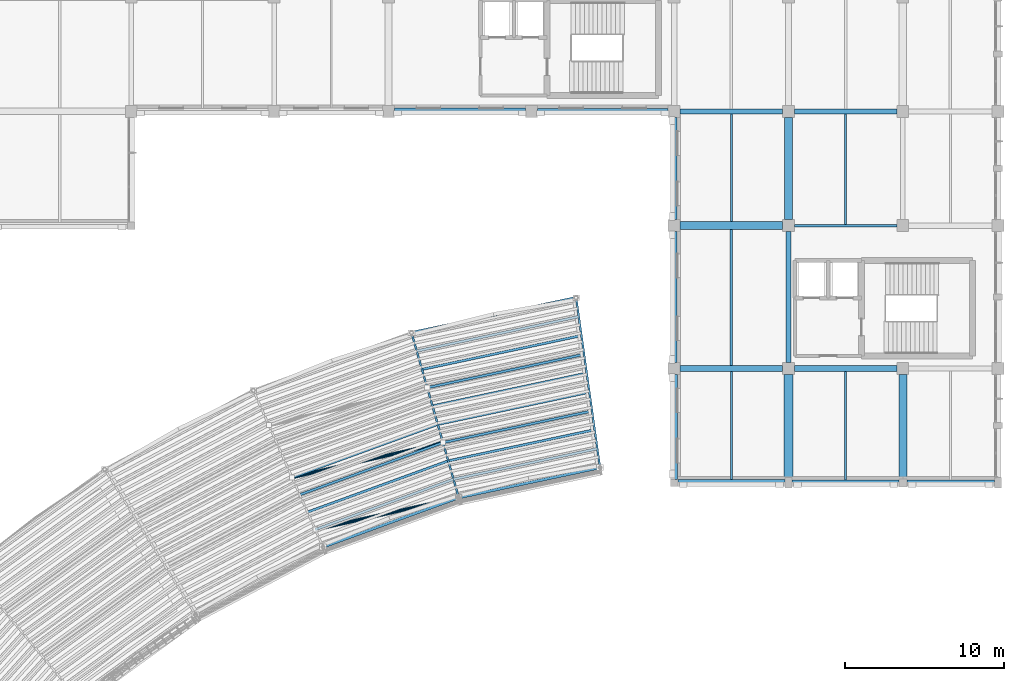
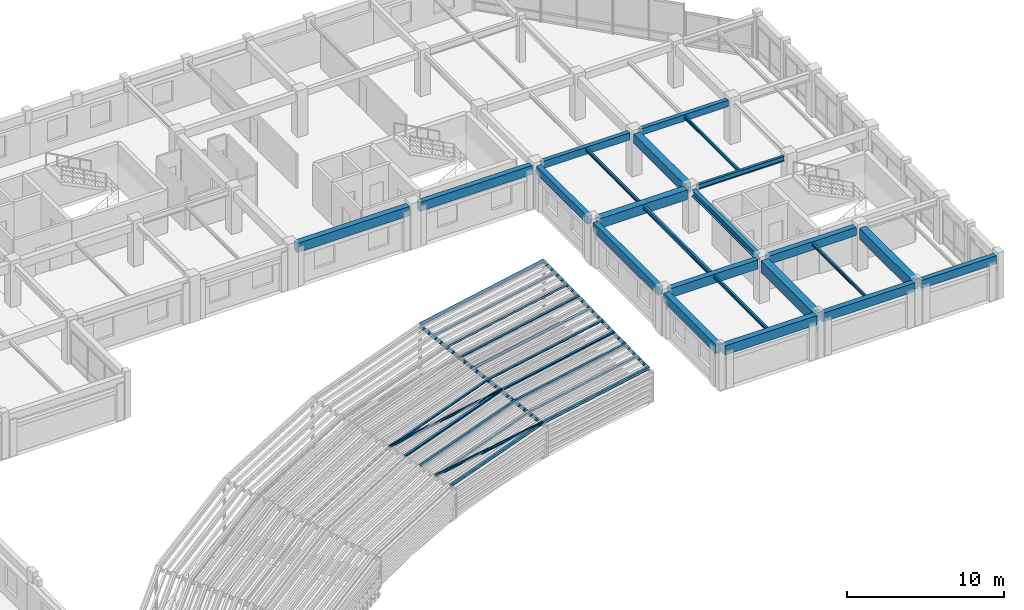
# One storey, part 34 of 74: 23 beams, 19 members.
"""IFC4 building model written with IfcOpenShell, lengths in metres."""

from ifc_helpers import new_model, si_unit, direction, frame, origin, origin_2d, place, context, subcontext, project, spatial, rectangle, hollow_circle, i_section, extrude, material, material_profile, profile_set, type_object, element, save


model = new_model("IFC4")

# Units and contexts
model_context = context("Model", 3, precision=1e-05, world=origin(), true_north=direction((0.0, 1.0)))
body_context = subcontext(model_context, "Body", "Model", "MODEL_VIEW")
ifc_project = project(units=[si_unit("LENGTHUNIT", "METRE"), si_unit("AREAUNIT", "SQUARE_METRE"), si_unit("VOLUMEUNIT", "CUBIC_METRE"), si_unit("PLANEANGLEUNIT", "RADIAN"), si_unit("MASSUNIT", "GRAM", prefix="KILO")], contexts=[model_context])

# Site, building, storey
site_placement = place(None, origin())
site = spatial("IfcSite", under=ifc_project, at=site_placement, CompositionType="ELEMENT")
building_placement = place(site_placement, origin())
building = spatial("IfcBuilding", under=site, at=building_placement, Name="Clarverna Civic Hall", CompositionType="ELEMENT")
storey_placement = place(building_placement, frame((0.0, 0.0, 13.199951171875)))
storey = spatial("IfcBuildingStorey", under=building, at=storey_placement, Name="L03", CompositionType="ELEMENT", Elevation=13.199951171875)

# Beams
ifc_material_1 = material(Name="Concrete C35/45", Category="concrete")
ifc_material_profile_1 = material_profile(ifc_material_1, rectangle(XDim=0.5, YDim=0.85009765625, at=origin_2d()), Name="RC 500x850")
ifc_profile_set_1 = profile_set([ifc_material_profile_1], Name="Concrete C35/45")
beam_type_1 = type_object("IfcBeamType", Name="B-RC1", PredefinedType="BEAM", material=ifc_profile_set_1)
beam_1_placement = place(storey_placement, frame((162.0, 71.85009765625, 2.89501953125), z_axis=(0.0, 1.0, 0.0), x_axis=(-1.0, 0.0, 0.0)))
element("IfcBeam", 1, at=beam_1_placement, inside=storey, type_object=beam_type_1, Name="B-RC1-025", PredefinedType="BEAM", context=body_context, shape_type="SweptSolid", body=[
    extrude(rectangle(XDim=0.5, YDim=0.85009765625, at=origin_2d()), origin(), (0.0, 0.0, 1.0), 6.574951171875),
])
ifc_material_profile_2 = material_profile(ifc_material_1, rectangle(XDim=0.300048828125, YDim=0.550048828125, at=origin_2d()), Name="RC 300x550")
ifc_profile_set_2 = profile_set([ifc_material_profile_2], Name="Concrete C35/45")
beam_type_2 = type_object("IfcBeamType", Name="B-RC11", PredefinedType="BEAM", material=ifc_profile_set_2)
beam_2_placement = place(storey_placement, frame((147.97509765625, 95.0, 3.045166015625), z_axis=(1.0, 0.0, 0.0), x_axis=(0.0, 1.0, 0.0)))
element("IfcBeam", 2, at=beam_2_placement, inside=storey, type_object=beam_type_2, Name="B-RC11-031", PredefinedType="BEAM", context=body_context, shape_type="SweptSolid", body=[
    extrude(rectangle(XDim=0.300048828125, YDim=0.550048828125, at=origin_2d()), origin(), (0.0, 0.0, 1.0), 6.449951171875),
])
ifc_material_profile_3 = material_profile(ifc_material_1, rectangle(XDim=0.300048828125, YDim=0.5, at=origin_2d()), Name="RC 300x500")
ifc_profile_set_3 = profile_set([ifc_material_profile_3], Name="Concrete C35/45")
beam_type_3 = type_object("IfcBeamType", Name="B-RC12", PredefinedType="BEAM", material=ifc_profile_set_3)
beam_3_placement = place(storey_placement, frame((155.175048828125, 95.0, 3.070068359375), z_axis=(1.0, 0.0, 0.0), x_axis=(0.0, 1.0, 0.0)))
element("IfcBeam", 3, at=beam_3_placement, inside=storey, type_object=beam_type_3, Name="B-RC12-045", PredefinedType="BEAM", context=body_context, shape_type="SweptSolid", body=[
    extrude(rectangle(XDim=0.300048828125, YDim=0.5, at=origin_2d()), origin(), (0.0, 0.0, 1.0), 6.449951171875),
])
ifc_material_profile_4 = material_profile(ifc_material_1, rectangle(XDim=0.550048828125, YDim=0.89990234375, at=origin_2d()), Name="RC 550x900")
ifc_profile_set_4 = profile_set([ifc_material_profile_4], Name="Concrete C35/45")
beam_type_4 = type_object("IfcBeamType", Name="B-RC13", PredefinedType="BEAM", material=ifc_profile_set_4)
beam_4_placement = place(storey_placement, frame((154.800048828125, 71.925048828125, 2.8701171875), z_axis=(0.0, 1.0, 0.0), x_axis=(-1.0, 0.0, 0.0)))
element("IfcBeam", 4, at=beam_4_placement, inside=storey, type_object=beam_type_4, Name="B-RC13-032", PredefinedType="BEAM", context=body_context, shape_type="SweptSolid", body=[
    extrude(rectangle(XDim=0.550048828125, YDim=0.89990234375, at=origin_2d()), origin(), (0.0, 0.0, 1.0), 6.5),
])
ifc_material_profile_5 = material_profile(ifc_material_1, rectangle(XDim=0.5, YDim=0.75, at=origin_2d()), Name="RC 500x750")
ifc_profile_set_5 = profile_set([ifc_material_profile_5], Name="Concrete C35/45")
beam_type_5 = type_object("IfcBeamType", Name="B-RC15", PredefinedType="BEAM", material=ifc_profile_set_5)
for number, where, z_axis, x_axis, name in (
    (5, (147.97509765625, 87.800048828125, 2.945068359375), (1.0, 0.0, 0.0), (0.0, 1.0, 0.0), "B-RC15-043"),
    (6, (154.800048828125, 88.175048828125, 2.945068359375), (0.0, 1.0, 0.0), (-1.0, 0.0, 0.0), "B-RC15-045"),
):
    element("IfcBeam", number, at=place(storey_placement, frame(where, z_axis=z_axis, x_axis=x_axis)), inside=storey, type_object=beam_type_5, Name=name, PredefinedType="BEAM", context=body_context, shape_type="SweptSolid", body=[
        extrude(rectangle(XDim=0.5, YDim=0.75, at=origin_2d()), origin(), (0.0, 0.0, 1.0), 6.449951171875),
    ])
ifc_material_profile_6 = material_profile(ifc_material_1, rectangle(XDim=0.39990234375, YDim=0.699951171875, at=origin_2d()), Name="RC 400x700")
ifc_profile_set_6 = profile_set([ifc_material_profile_6], Name="Concrete C35/45")
beam_type_6 = type_object("IfcBeamType", Name="B-RC5", PredefinedType="BEAM", material=ifc_profile_set_6)
beam_5_placement = place(storey_placement, frame((147.97509765625, 78.800048828125, 2.969970703125), z_axis=(1.0, 0.0, 0.0), x_axis=(0.0, 1.0, 0.0)))
element("IfcBeam", 7, at=beam_5_placement, inside=storey, type_object=beam_type_6, Name="B-RC5-032", PredefinedType="BEAM", context=body_context, shape_type="SweptSolid", body=[
    extrude(rectangle(XDim=0.39990234375, YDim=0.699951171875, at=origin_2d()), origin(), (0.0, 0.0, 1.0), 6.449951171875),
])
ifc_material_profile_7 = material_profile(ifc_material_1, rectangle(XDim=0.39990234375, YDim=0.64990234375, at=origin_2d()), Name="RC 400x650")
ifc_profile_set_7 = profile_set([ifc_material_profile_7], Name="Concrete C35/45")
beam_type_7 = type_object("IfcBeamType", Name="B-RC6", PredefinedType="BEAM", material=ifc_profile_set_7)
beam_6_placement = place(storey_placement, frame((155.175048828125, 78.800048828125, 2.9951171875), z_axis=(1.0, 0.0, 0.0), x_axis=(0.0, 1.0, 0.0)))
element("IfcBeam", 8, at=beam_6_placement, inside=storey, type_object=beam_type_7, Name="B-RC6-044", PredefinedType="BEAM", context=body_context, shape_type="SweptSolid", body=[
    extrude(rectangle(XDim=0.39990234375, YDim=0.64990234375, at=origin_2d()), origin(), (0.0, 0.0, 1.0), 6.449951171875),
])
ifc_material_profile_8 = material_profile(ifc_material_1, rectangle(XDim=0.419921875, YDim=0.719970703125, at=origin_2d()), Name="RC 420x720")
ifc_profile_set_8 = profile_set([ifc_material_profile_8], Name="Concrete C35/45")
beam_type_8 = type_object("IfcBeamType", Name="B-SP1", PredefinedType="SPANDREL", material=ifc_profile_set_8)
beam_7_placement = place(storey_placement, frame((147.824951171875, 71.60009765625, 2.9599609375), z_axis=(1.0, 0.0, 0.0), x_axis=(0.0, 1.0, 0.0)))
element("IfcBeam", 9, at=beam_7_placement, inside=storey, type_object=beam_type_8, Name="B-SP1-110", PredefinedType="SPANDREL", context=body_context, shape_type="SweptSolid", body=[
    extrude(rectangle(XDim=0.419921875, YDim=0.719970703125, at=origin_2d()), origin(), (0.0, 0.0, 1.0), 6.75),
])
beam_8_placement = place(storey_placement, frame((129.97509765625, 95.0, 2.9599609375), z_axis=(1.0, 0.0, 0.0), x_axis=(0.0, 1.0, 0.0)))
element("IfcBeam", 10, at=beam_8_placement, inside=storey, type_object=beam_type_8, Name="B-SP1-111", PredefinedType="SPANDREL", context=body_context, shape_type="SweptSolid", body=[
    extrude(rectangle(XDim=0.419921875, YDim=0.719970703125, at=origin_2d()), origin(), (0.0, 0.0, 1.0), 8.25),
])
beam_9_placement = place(storey_placement, frame((147.60009765625, 71.824951171875, 2.9599609375), z_axis=(0.0, 1.0, 0.0), x_axis=(-1.0, 0.0, 0.0)))
element("IfcBeam", 11, at=beam_9_placement, inside=storey, type_object=beam_type_8, Name="B-SP1-125", PredefinedType="SPANDREL", context=body_context, shape_type="SweptSolid", body=[
    extrude(rectangle(XDim=0.419921875, YDim=0.719970703125, at=origin_2d()), origin(), (0.0, 0.0, 1.0), 6.60009765625),
])
ifc_material_profile_9 = material_profile(ifc_material_1, rectangle(XDim=0.3798828125, YDim=0.679931640625, at=origin_2d()), Name="RC 380x680")
ifc_profile_set_9 = profile_set([ifc_material_profile_9], Name="Concrete C35/45")
beam_type_9 = type_object("IfcBeamType", Name="B-SP2", PredefinedType="SPANDREL", material=ifc_profile_set_9)
beam_10_placement = place(storey_placement, frame((155.02490234375, 71.60009765625, 2.97998046875), z_axis=(1.0, 0.0, 0.0), x_axis=(0.0, 1.0, 0.0)))
element("IfcBeam", 12, at=beam_10_placement, inside=storey, type_object=beam_type_9, Name="B-SP2-114", PredefinedType="SPANDREL", context=body_context, shape_type="SweptSolid", body=[
    extrude(rectangle(XDim=0.3798828125, YDim=0.679931640625, at=origin_2d()), origin(), (0.0, 0.0, 1.0), 6.72509765625),
])
for number, where, z_axis, x_axis, name in (
    (13, (138.97509765625, 95.0, 2.97998046875), (1.0, 0.0, 0.0), (0.0, 1.0, 0.0), "B-SP2-116"),
    (14, (147.60009765625, 79.175048828125, 2.97998046875), (0.0, 1.0, 0.0), (-1.0, 0.0, 0.0), "B-SP2-131"),
):
    element("IfcBeam", number, at=place(storey_placement, frame(where, z_axis=z_axis, x_axis=x_axis)), inside=storey, type_object=beam_type_9, Name=name, PredefinedType="SPANDREL", context=body_context, shape_type="SweptSolid", body=[
        extrude(rectangle(XDim=0.3798828125, YDim=0.679931640625, at=origin_2d()), origin(), (0.0, 0.0, 1.0), 8.25),
    ])
ifc_material_profile_10 = material_profile(ifc_material_1, rectangle(XDim=0.360107421875, YDim=0.6201171875, at=origin_2d()), Name="RC 360x620")
ifc_profile_set_10 = profile_set([ifc_material_profile_10], Name="Concrete C35/45")
beam_type_10 = type_object("IfcBeamType", Name="B-SP3", PredefinedType="SPANDREL", material=ifc_profile_set_10)
beam_11_placement = place(storey_placement, frame((162.25, 71.60009765625, 3.010009765625), z_axis=(1.0, 0.0, 0.0), x_axis=(0.0, 1.0, 0.0)))
element("IfcBeam", 15, at=beam_11_placement, inside=storey, type_object=beam_type_10, Name="B-SP3-111", PredefinedType="SPANDREL", context=body_context, shape_type="SweptSolid", body=[
    extrude(rectangle(XDim=0.360107421875, YDim=0.6201171875, at=origin_2d()), origin(), (0.0, 0.0, 1.0), 5.52490234375),
])
beam_12_placement = place(storey_placement, frame((147.60009765625, 88.175048828125, 3.010009765625), z_axis=(0.0, 1.0, 0.0), x_axis=(-1.0, 0.0, 0.0)))
element("IfcBeam", 16, at=beam_12_placement, inside=storey, type_object=beam_type_10, Name="B-SP3-129", PredefinedType="SPANDREL", context=body_context, shape_type="SweptSolid", body=[
    extrude(rectangle(XDim=0.360107421875, YDim=0.6201171875, at=origin_2d()), origin(), (0.0, 0.0, 1.0), 6.449951171875),
])
ifc_material_2 = material(Name="Steel S355", Category="steel")
ifc_material_profile_11 = material_profile(ifc_material_2, i_section(OverallWidth=0.179931640625, OverallDepth=0.39990234375, WebThickness=0.008544921875, FlangeThickness=0.013427734375, FilletRadius=0.02099609375, at=origin_2d()), Name="IPE 400")
ifc_profile_set_11 = profile_set([ifc_material_profile_11], Name="Steel S355")
beam_type_11 = type_object("IfcBeamType", Name="B-ST14", PredefinedType="BEAM", material=ifc_profile_set_11)
beam_13_placement = place(storey_placement, frame((155.175048828125, 87.800048828125, 3.1201171875), z_axis=(1.0, 0.0, 0.0), x_axis=(0.0, 1.0, 0.0)))
element("IfcBeam", 17, at=beam_13_placement, inside=storey, type_object=beam_type_11, Name="B-ST14-016", PredefinedType="BEAM", context=body_context, shape_type="SweptSolid", body=[
    extrude(i_section(OverallWidth=0.179931640625, OverallDepth=0.39990234375, WebThickness=0.008544921875, FlangeThickness=0.013427734375, FilletRadius=0.02099609375, at=origin_2d()), origin(), (0.0, 0.0, 1.0), 6.449951171875),
])
ifc_material_profile_12 = material_profile(ifc_material_2, i_section(OverallWidth=0.300048828125, OverallDepth=0.5, WebThickness=0.014404296875, FlangeThickness=0.028076171875, FilletRadius=0.027099609375, at=origin_2d()), Name="HEB 500")
ifc_profile_set_12 = profile_set([ifc_material_profile_12], Name="Steel S355")
beam_type_12 = type_object("IfcBeamType", Name="B-ST2", PredefinedType="BEAM", material=ifc_profile_set_12)
beam_14_placement = place(storey_placement, frame((154.800048828125, 79.175048828125, 3.070068359375), z_axis=(0.0, 1.0, 0.0), x_axis=(-1.0, 0.0, 0.0)))
element("IfcBeam", 18, at=beam_14_placement, inside=storey, type_object=beam_type_12, Name="B-ST2-017", PredefinedType="BEAM", context=body_context, shape_type="SweptSolid", body=[
    extrude(i_section(OverallWidth=0.300048828125, OverallDepth=0.5, WebThickness=0.014404296875, FlangeThickness=0.028076171875, FilletRadius=0.027099609375, at=origin_2d()), origin(), (0.0, 0.0, 1.0), 8.25),
])

# Members
ifc_material_profile_13 = material_profile(ifc_material_2, hollow_circle(Radius=0.109619140625, WallThickness=0.010009765625, at=origin_2d()), Name="CHS 219.1x10.0")
ifc_profile_set_13 = profile_set([ifc_material_profile_13], Name="Steel S355")
member_type_1 = type_object("IfcMemberType", Name="BRS-1", PredefinedType="BRACE", material=ifc_profile_set_13)
member_1_placement = place(storey_placement, frame((134.0283203125, 70.67431640625, 2.650146484375), z_axis=(-0.975639696104, -0.217561589083, 0.028180460285), x_axis=(0.217648027569, -0.976027323437, 0.0)))
element("IfcMember", 19, at=member_1_placement, inside=storey, type_object=member_type_1, Name="BRS-1-001", PredefinedType="BRACE", context=body_context, shape_type="SweptSolid", body=[
    extrude(hollow_circle(Radius=0.109619140625, WallThickness=0.010009765625, at=origin_2d()), origin(), (0.0, 0.0, 1.0), 9.26123046875),
])
member_2_placement = place(storey_placement, frame((133.0361328125, 74.134765625, 3.433349609375), z_axis=(-0.974212779846, -0.224040921742, 0.026741820605), x_axis=(0.224121073362, -0.974561308731, 0.0)))
element("IfcMember", 20, at=member_2_placement, inside=storey, type_object=member_type_1, Name="BRS-1-002", PredefinedType="BRACE", context=body_context, shape_type="SweptSolid", body=[
    extrude(hollow_circle(Radius=0.109619140625, WallThickness=0.010009765625, at=origin_2d()), origin(), (0.0, 0.0, 1.0), 9.759521484375),
])

# Beams
ifc_material_profile_14 = material_profile(ifc_material_2, i_section(OverallWidth=0.159912109375, OverallDepth=0.330078125, WebThickness=0.007568359375, FlangeThickness=0.011474609375, FilletRadius=0.01806640625, at=origin_2d()), Name="IPE 330")
ifc_profile_set_14 = profile_set([ifc_material_profile_14], Name="Steel S355")
beam_type_13 = type_object("IfcBeamType", Name="J-ST2", PredefinedType="JOIST", material=ifc_profile_set_14)
beam_15_placement = place(storey_placement, frame((151.199951171875, 79.0, 3.155029296875), z_axis=(0.0, 1.0, 0.0), x_axis=(-1.0, 0.0, 0.0)))
element("IfcBeam", 21, at=beam_15_placement, inside=storey, type_object=beam_type_13, Name="J-ST2-062", PredefinedType="JOIST", context=body_context, shape_type="SweptSolid", body=[
    extrude(i_section(OverallWidth=0.159912109375, OverallDepth=0.330078125, WebThickness=0.007568359375, FlangeThickness=0.011474609375, FilletRadius=0.01806640625, at=origin_2d()), origin(), (0.0, 0.0, 1.0), 8.550048828125),
])
ifc_material_profile_15 = material_profile(ifc_material_2, i_section(OverallWidth=0.135009765625, OverallDepth=0.27001953125, WebThickness=0.006591796875, FlangeThickness=0.01025390625, FilletRadius=0.014892578125, at=origin_2d()), Name="IPE 270")
ifc_profile_set_15 = profile_set([ifc_material_profile_15], Name="Steel S355")
beam_type_14 = type_object("IfcBeamType", Name="J-ST4", PredefinedType="JOIST", material=ifc_profile_set_15)
beam_16_placement = place(storey_placement, frame((151.199951171875, 71.81005859375, 3.18505859375), z_axis=(0.0, 1.0, 0.0), x_axis=(-1.0, 0.0, 0.0)))
element("IfcBeam", 22, at=beam_16_placement, inside=storey, type_object=beam_type_14, Name="J-ST4-063", PredefinedType="JOIST", context=body_context, shape_type="SweptSolid", body=[
    extrude(i_section(OverallWidth=0.135009765625, OverallDepth=0.27001953125, WebThickness=0.006591796875, FlangeThickness=0.01025390625, FilletRadius=0.014892578125, at=origin_2d()), origin(), (0.0, 0.0, 1.0), 6.7900390625),
])
beam_17_placement = place(storey_placement, frame((151.199951171875, 88.050048828125, 3.18505859375), z_axis=(0.0, 1.0, 0.0), x_axis=(-1.0, 0.0, 0.0)))
element("IfcBeam", 23, at=beam_17_placement, inside=storey, type_object=beam_type_14, Name="J-ST4-065", PredefinedType="JOIST", context=body_context, shape_type="SweptSolid", body=[
    extrude(i_section(OverallWidth=0.135009765625, OverallDepth=0.27001953125, WebThickness=0.006591796875, FlangeThickness=0.01025390625, FilletRadius=0.014892578125, at=origin_2d()), origin(), (0.0, 0.0, 1.0), 6.800048828125),
])
ifc_material_profile_16 = material_profile(ifc_material_2, i_section(OverallWidth=0.1201171875, OverallDepth=0.239990234375, WebThickness=0.006103515625, FlangeThickness=0.009765625, FilletRadius=0.014892578125, at=origin_2d()), Name="IPE 240")
ifc_profile_set_16 = profile_set([ifc_material_profile_16], Name="Steel S355")
beam_type_15 = type_object("IfcBeamType", Name="J-ST5", PredefinedType="JOIST", material=ifc_profile_set_16)
beam_18_placement = place(storey_placement, frame((158.39990234375, 71.7900390625, 3.199951171875), z_axis=(0.0, 1.0, 0.0), x_axis=(-1.0, 0.0, 0.0)))
element("IfcBeam", 24, at=beam_18_placement, inside=storey, type_object=beam_type_15, Name="J-ST5-060", PredefinedType="JOIST", context=body_context, shape_type="SweptSolid", body=[
    extrude(i_section(OverallWidth=0.1201171875, OverallDepth=0.239990234375, WebThickness=0.006103515625, FlangeThickness=0.009765625, FilletRadius=0.014892578125, at=origin_2d()), origin(), (0.0, 0.0, 1.0), 6.81005859375),
])
beam_19_placement = place(storey_placement, frame((158.39990234375, 87.889892578125, 3.199951171875), z_axis=(0.0, 1.0, 0.0), x_axis=(-1.0, 0.0, 0.0)))
element("IfcBeam", 25, at=beam_19_placement, inside=storey, type_object=beam_type_15, Name="J-ST5-062", PredefinedType="JOIST", context=body_context, shape_type="SweptSolid", body=[
    extrude(i_section(OverallWidth=0.1201171875, OverallDepth=0.239990234375, WebThickness=0.006103515625, FlangeThickness=0.009765625, FilletRadius=0.014892578125, at=origin_2d()), origin(), (0.0, 0.0, 1.0), 6.960205078125),
])

# Members
ifc_material_profile_17 = material_profile(ifc_material_2, i_section(OverallWidth=0.179931640625, OverallDepth=0.1708984375, WebThickness=0.006103515625, FlangeThickness=0.009521484375, FilletRadius=0.014892578125, at=origin_2d()), Name="HEA 180")
ifc_profile_set_17 = profile_set([ifc_material_profile_17], Name="Steel S355")
member_type_2 = type_object("IfcMemberType", Name="PU-SC2", PredefinedType="PURLIN", material=ifc_profile_set_17)
for number, where, z_axis, x_axis, name in (
    (26, (142.92578125, 72.5654296875, 2.650146484375), (-0.978149845886, -0.207901127929, 0.0), (0.207901127929, -0.978149845886, 0.0), "PU-SC2-001"),
    (27, (134.0283203125, 70.67431640625, 2.650146484375), (-0.939692291885, -0.342021046971, 0.0), (0.342021046971, -0.939692291885, 0.0), "PU-SC2-002"),
):
    element("IfcMember", number, at=place(storey_placement, frame(where, z_axis=z_axis, x_axis=x_axis)), inside=storey, type_object=member_type_2, Name=name, PredefinedType="PURLIN", context=body_context, shape_type="SweptSolid", body=[
        extrude(i_section(OverallWidth=0.179931640625, OverallDepth=0.1708984375, WebThickness=0.006103515625, FlangeThickness=0.009521484375, FilletRadius=0.014892578125, at=origin_2d()), origin(), (0.0, 0.0, 1.0), 9.09619140625),
    ])
member_3_placement = place(storey_placement, frame((141.4228515625, 83.260498046875, 5.0), z_axis=(-0.978145799262, -0.207920165894, 0.0), x_axis=(0.207920165894, -0.978145799262, 0.0)))
element("IfcMember", 28, at=member_3_placement, inside=storey, type_object=member_type_2, Name="PU-SC2-006", PredefinedType="PURLIN", context=body_context, shape_type="SweptSolid", body=[
    extrude(i_section(OverallWidth=0.179931640625, OverallDepth=0.1708984375, WebThickness=0.006103515625, FlangeThickness=0.009521484375, FilletRadius=0.014892578125, at=origin_2d()), origin(), (0.0, 0.0, 1.0), 10.60302734375),
])
ifc_material_profile_18 = material_profile(ifc_material_2, i_section(OverallWidth=0.159912109375, OverallDepth=0.152099609375, WebThickness=0.006103515625, FlangeThickness=0.009033203125, FilletRadius=0.014892578125, at=origin_2d()), Name="HEA 160")
ifc_profile_set_18 = profile_set([ifc_material_profile_18], Name="Steel S355")
member_type_3 = type_object("IfcMemberType", Name="PU-SC3", PredefinedType="PURLIN", material=ifc_profile_set_18)
member_4_placement = place(storey_placement, frame((142.7587890625, 73.75390625, 2.9111328125), z_axis=(-0.978146658629, -0.207916123024, 0.0), x_axis=(0.207916123024, -0.978146658629, 0.0)))
element("IfcMember", 29, at=member_4_placement, inside=storey, type_object=member_type_3, Name="PU-SC3-001", PredefinedType="PURLIN", context=body_context, shape_type="SweptSolid", body=[
    extrude(i_section(OverallWidth=0.159912109375, OverallDepth=0.152099609375, WebThickness=0.006103515625, FlangeThickness=0.009033203125, FilletRadius=0.014892578125, at=origin_2d()), origin(), (0.0, 0.0, 1.0), 9.263427734375),
])
member_5_placement = place(storey_placement, frame((133.69775390625, 71.827880859375, 2.9111328125), z_axis=(-0.93969027177, -0.342026597124, 0.0), x_axis=(0.342026597124, -0.93969027177, 0.0)))
element("IfcMember", 30, at=member_5_placement, inside=storey, type_object=member_type_3, Name="PU-SC3-002", PredefinedType="PURLIN", context=body_context, shape_type="SweptSolid", body=[
    extrude(i_section(OverallWidth=0.159912109375, OverallDepth=0.152099609375, WebThickness=0.006103515625, FlangeThickness=0.009033203125, FilletRadius=0.014892578125, at=origin_2d()), origin(), (0.0, 0.0, 1.0), 9.263671875),
])
member_6_placement = place(storey_placement, frame((142.591796875, 74.942138671875, 3.17236328125), z_axis=(-0.978144703428, -0.207925321104, 0.0), x_axis=(0.207925321104, -0.978144703428, 0.0)))
element("IfcMember", 31, at=member_6_placement, inside=storey, type_object=member_type_3, Name="PU-SC3-005", PredefinedType="PURLIN", context=body_context, shape_type="SweptSolid", body=[
    extrude(i_section(OverallWidth=0.159912109375, OverallDepth=0.152099609375, WebThickness=0.006103515625, FlangeThickness=0.009033203125, FilletRadius=0.014892578125, at=origin_2d()), origin(), (0.0, 0.0, 1.0), 9.430908203125),
])
member_7_placement = place(storey_placement, frame((133.366943359375, 72.981201171875, 3.17236328125), z_axis=(-0.93969361504, -0.342017411623, 0.0), x_axis=(0.342017411623, -0.93969361504, 0.0)))
element("IfcMember", 32, at=member_7_placement, inside=storey, type_object=member_type_3, Name="PU-SC3-006", PredefinedType="PURLIN", context=body_context, shape_type="SweptSolid", body=[
    extrude(i_section(OverallWidth=0.159912109375, OverallDepth=0.152099609375, WebThickness=0.006103515625, FlangeThickness=0.009033203125, FilletRadius=0.014892578125, at=origin_2d()), origin(), (0.0, 0.0, 1.0), 9.43115234375),
])
for number, where, z_axis, x_axis, name in (
    (33, (142.4248046875, 76.13037109375, 3.433349609375), (-0.978147989392, -0.207909862318, 0.0), (0.207909862318, -0.978147989392, 0.0), "PU-SC3-009"),
    (34, (133.0361328125, 74.134765625, 3.433349609375), (-0.939688666852, -0.342031006474, 0.0), (0.342031006474, -0.939688666852, 0.0), "PU-SC3-010"),
):
    element("IfcMember", number, at=place(storey_placement, frame(where, z_axis=z_axis, x_axis=x_axis)), inside=storey, type_object=member_type_3, Name=name, PredefinedType="PURLIN", context=body_context, shape_type="SweptSolid", body=[
        extrude(i_section(OverallWidth=0.159912109375, OverallDepth=0.152099609375, WebThickness=0.006103515625, FlangeThickness=0.009033203125, FilletRadius=0.014892578125, at=origin_2d()), origin(), (0.0, 0.0, 1.0), 9.598388671875),
    ])
for number, where, z_axis, x_axis, name in (
    (35, (142.2578125, 77.31884765625, 3.6943359375), (-0.978146078482, -0.20791885232, 0.0), (0.20791885232, -0.978146078482, 0.0), "PU-SC3-013"),
    (36, (132.705322265625, 75.288330078125, 3.6943359375), (-0.939694847438, -0.342014025587, 0.0), (0.342014025587, -0.939694847438, 0.0), "PU-SC3-014"),
):
    element("IfcMember", number, at=place(storey_placement, frame(where, z_axis=z_axis, x_axis=x_axis)), inside=storey, type_object=member_type_3, Name=name, PredefinedType="PURLIN", context=body_context, shape_type="SweptSolid", body=[
        extrude(i_section(OverallWidth=0.159912109375, OverallDepth=0.152099609375, WebThickness=0.006103515625, FlangeThickness=0.009033203125, FilletRadius=0.014892578125, at=origin_2d()), origin(), (0.0, 0.0, 1.0), 9.765869140625),
    ])
member_8_placement = place(storey_placement, frame((142.0908203125, 78.507080078125, 3.95556640625), z_axis=(-0.978149230374, -0.207904023814, 0.0), x_axis=(0.207904023814, -0.978149230374, 0.0)))
element("IfcMember", 37, at=member_8_placement, inside=storey, type_object=member_type_3, Name="PU-SC3-017", PredefinedType="PURLIN", context=body_context, shape_type="SweptSolid", body=[
    extrude(i_section(OverallWidth=0.159912109375, OverallDepth=0.152099609375, WebThickness=0.006103515625, FlangeThickness=0.009033203125, FilletRadius=0.014892578125, at=origin_2d()), origin(), (0.0, 0.0, 1.0), 9.933349609375),
])
member_9_placement = place(storey_placement, frame((141.923828125, 79.6953125, 4.216796875), z_axis=(-0.978146317441, -0.207917728146, 0.0), x_axis=(0.207917728146, -0.978146317441, 0.0)))
element("IfcMember", 38, at=member_9_placement, inside=storey, type_object=member_type_3, Name="PU-SC3-021", PredefinedType="PURLIN", context=body_context, shape_type="SweptSolid", body=[
    extrude(i_section(OverallWidth=0.159912109375, OverallDepth=0.152099609375, WebThickness=0.006103515625, FlangeThickness=0.009033203125, FilletRadius=0.014892578125, at=origin_2d()), origin(), (0.0, 0.0, 1.0), 10.1005859375),
])
member_10_placement = place(storey_placement, frame((141.7568359375, 80.8837890625, 4.477783203125), z_axis=(-0.9781445272, -0.207926150134, 0.0), x_axis=(0.207926150134, -0.9781445272, 0.0)))
element("IfcMember", 39, at=member_10_placement, inside=storey, type_object=member_type_3, Name="PU-SC3-025", PredefinedType="PURLIN", context=body_context, shape_type="SweptSolid", body=[
    extrude(i_section(OverallWidth=0.159912109375, OverallDepth=0.152099609375, WebThickness=0.006103515625, FlangeThickness=0.009033203125, FilletRadius=0.014892578125, at=origin_2d()), origin(), (0.0, 0.0, 1.0), 10.26806640625),
])
member_11_placement = place(storey_placement, frame((141.58984375, 82.072021484375, 4.739013671875), z_axis=(-0.978147552411, -0.20791191816, 0.0), x_axis=(0.20791191816, -0.978147552411, 0.0)))
element("IfcMember", 40, at=member_11_placement, inside=storey, type_object=member_type_3, Name="PU-SC3-029", PredefinedType="PURLIN", context=body_context, shape_type="SweptSolid", body=[
    extrude(i_section(OverallWidth=0.159912109375, OverallDepth=0.152099609375, WebThickness=0.006103515625, FlangeThickness=0.009033203125, FilletRadius=0.014892578125, at=origin_2d()), origin(), (0.0, 0.0, 1.0), 10.435546875),
])
ifc_material_profile_19 = material_profile(ifc_material_2, i_section(OverallWidth=0.1201171875, OverallDepth=0.239990234375, WebThickness=0.006103515625, FlangeThickness=0.009765625, FilletRadius=0.014892578125, at=origin_2d()), Name="IPE 240")
ifc_profile_set_19 = profile_set([ifc_material_profile_19], Name="Steel S355")
member_type_4 = type_object("IfcMemberType", Name="SC-RF1", PredefinedType="RAFTER", material=ifc_profile_set_19)
member_12_placement = place(storey_placement, frame((142.92578125, 72.5654296875, 2.550048828125), z_axis=(-0.135976247722, 0.967626946713, 0.212623028033), x_axis=(-0.990270163277, -0.139158196752, 0.0)))
element("IfcMember", 41, at=member_12_placement, inside=storey, type_object=member_type_4, Name="SC-RF1-001", PredefinedType="RAFTER", context=body_context, shape_type="SweptSolid", body=[
    extrude(i_section(OverallWidth=0.1201171875, OverallDepth=0.239990234375, WebThickness=0.006103515625, FlangeThickness=0.009765625, FilletRadius=0.014892578125, at=origin_2d()), origin(), (0.0, 0.0, 1.0), 11.052978515625),
])
member_13_placement = place(storey_placement, frame((134.0283203125, 70.67431640625, 2.550048828125), z_axis=(-0.269328889787, 0.939282570362, 0.212626908316), x_axis=(-0.961263337304, -0.275631631629, 0.0)))
element("IfcMember", 42, at=member_13_placement, inside=storey, type_object=member_type_4, Name="SC-RF1-002", PredefinedType="RAFTER", context=body_context, shape_type="SweptSolid", body=[
    extrude(i_section(OverallWidth=0.1201171875, OverallDepth=0.239990234375, WebThickness=0.006103515625, FlangeThickness=0.009765625, FilletRadius=0.014892578125, at=origin_2d()), origin(), (0.0, 0.0, 1.0), 11.052734375),
])

save(model, "model.ifc")
